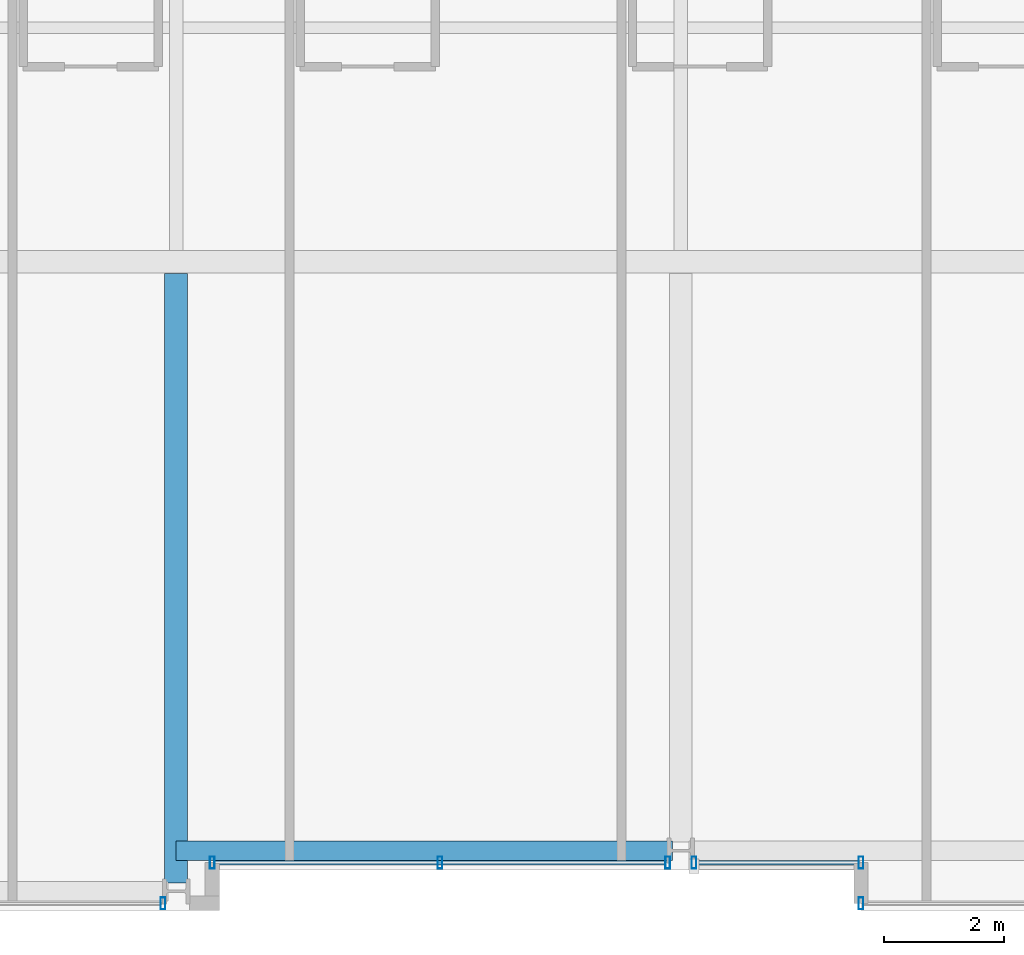
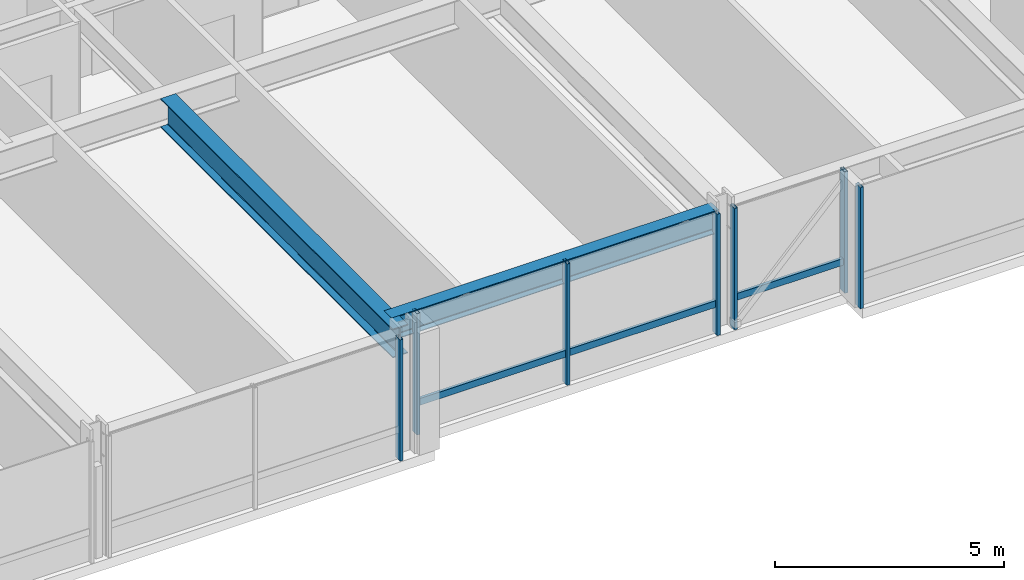
# One storey, part 5 of 35: 9 members, 2 beams, 4 elements without a shape of their own.
"""IFC4 building model written with IfcOpenShell, lengths in metres."""

import ifcopenshell
import ifcopenshell.guid

model = None  # the IFC model being written
_history = None  # IfcOwnerHistory: only IFC2X3 demands one
_inside = {}  # id of a spatial element -> (the spatial element, [elements in it])
_under = {}  # id of a project, library or spatial element -> (it, [spatial elements below it])
_declared = {}  # id of a project -> (the project, [libraries it declares])
_typed = {}  # id of a type object -> (the type object, [elements of that type])
_made_of = {}  # id of a material, layer set ... -> (it, [elements and type objects made of it])


def new_model(schema):
    """Start an empty IFC model of exactly this schema.

    Asked for "IFC4X3", IfcOpenShell would pick the latest addendum, in which some entities
    have other attributes; the version numbers below select the first issue.
    IFC2X3 requires an IfcOwnerHistory on every rooted entity: one is made here for all.
    """
    global model, _history
    if schema == "IFC4X3":
        model = ifcopenshell.file(schema_version=(4, 3, 0, 0))
    else:
        model = ifcopenshell.file(schema=schema)
    _inside.clear()
    _under.clear()
    _declared.clear()
    _typed.clear()
    _made_of.clear()
    _history = None
    if model.schema == "IFC2X3":
        org = make("IfcOrganization", Name="unknown")
        user = make(
            "IfcPersonAndOrganization",
            ThePerson=make("IfcPerson", FamilyName="unknown"),
            TheOrganization=org,
        )
        app = make(
            "IfcApplication",
            ApplicationDeveloper=org,
            Version="unknown",
            ApplicationFullName="unknown",
            ApplicationIdentifier="unknown",
        )
        _history = make(
            "IfcOwnerHistory",
            OwningUser=user,
            OwningApplication=app,
            ChangeAction="ADDED",
            CreationDate=0,
        )
    return model


def make(cls, **values):
    """One entity of the class cls with the attributes given. An attribute that is None is left unset."""
    return model.create_entity(
        cls, **{name: value for name, value in values.items() if value is not None}
    )


def rooted(cls, **values):
    """An entity with a GlobalId (a new one), such as an element, a storey or a relation."""
    return make(cls, GlobalId=ifcopenshell.guid.new(), OwnerHistory=_history, **values)


def si_unit(unit_type, name, prefix=None):
    """IfcSIUnit, for example si_unit("LENGTHUNIT", "METRE", prefix="MILLI")."""
    return make("IfcSIUnit", UnitType=unit_type, Prefix=prefix, Name=name)


def assignment(units):
    """IfcUnitAssignment: the units of a project."""
    return None if units is None else make("IfcUnitAssignment", Units=units)


def point(xyz):
    """IfcCartesianPoint."""
    return None if xyz is None else make("IfcCartesianPoint", Coordinates=xyz)


def direction(xyz):
    """IfcDirection."""
    return None if xyz is None else make("IfcDirection", DirectionRatios=xyz)


def frame(location, z_axis=None, x_axis=None):
    """IfcAxis2Placement3D, a coordinate frame: its origin and axes. An axis left out is left unset."""
    return make(
        "IfcAxis2Placement3D",
        Location=point(location),
        Axis=direction(z_axis),
        RefDirection=direction(x_axis),
    )


def frame_2d(location, x_axis=None):
    """IfcAxis2Placement2D, a coordinate frame in the plane: its origin and x axis."""
    return make(
        "IfcAxis2Placement2D", Location=point(location), RefDirection=direction(x_axis)
    )


def origin():
    """The frame at (0, 0, 0) with its axes left unset."""
    return frame((0.0, 0.0, 0.0))


def origin_2d():
    """The frame at (0, 0) in the plane with its x axis left unset."""
    return frame_2d((0.0, 0.0))


def place(relative_to, where):
    """IfcLocalPlacement: puts the frame where relative to a parent placement (None: the world)."""
    return make(
        "IfcLocalPlacement", PlacementRelTo=relative_to, RelativePlacement=where
    )


def context(
    kind, dimensions, precision=None, world=None, true_north=None, identifier=None
):
    """IfcGeometricRepresentationContext, for example the 3D "Model" context."""
    return make(
        "IfcGeometricRepresentationContext",
        ContextIdentifier=identifier,
        ContextType=kind,
        CoordinateSpaceDimension=dimensions,
        Precision=precision,
        WorldCoordinateSystem=world,
        TrueNorth=true_north,
    )


def subcontext(parent, identifier, kind, view, scale=None):
    """IfcGeometricRepresentationSubContext, for example "Body" below "Model"."""
    return make(
        "IfcGeometricRepresentationSubContext",
        ContextIdentifier=identifier,
        ContextType=kind,
        ParentContext=parent,
        TargetScale=scale,
        TargetView=view,
    )


def project(units=None, contexts=None):
    """IfcProject with its units and contexts."""
    return rooted(
        "IfcProject",
        Name="project",
        RepresentationContexts=contexts,
        UnitsInContext=assignment(units),
    )


def spatial(cls, under=None, at=None, **own):
    """A site, building, storey or space (cls), placed at a placement, below another one or the project."""
    s = rooted(cls, ObjectPlacement=at, **own)
    if under is not None:
        _under.setdefault(under.id(), (under, []))[1].append(s)
    return s


def profile(cls, at=None, kind="AREA", **sizes):
    """A parametric profile (cls). Its sizes go by their IFC names, for example OverallWidth=200.0."""
    return make(cls, ProfileType=kind, Position=at, **sizes)


def hollow_rectangle(**sizes):
    """IfcRectangleHollowProfileDef."""
    return profile("IfcRectangleHollowProfileDef", **sizes)


def i_section(**sizes):
    """IfcIShapeProfileDef."""
    return profile("IfcIShapeProfileDef", **sizes)


def extrude(swept, where, along, depth):
    """IfcExtrudedAreaSolid: the profile swept, set in the frame where, extruded along a direction by depth."""
    return make(
        "IfcExtrudedAreaSolid",
        SweptArea=swept,
        Position=where,
        ExtrudedDirection=direction(along),
        Depth=depth,
    )


def shape(context_of_items, identifier, shape_type, items):
    """IfcShapeRepresentation: the items that make up one representation, for example the "Body"."""
    return make(
        "IfcShapeRepresentation",
        ContextOfItems=context_of_items,
        RepresentationIdentifier=identifier,
        RepresentationType=shape_type,
        Items=items,
    )


def material(Name=None, Category=None):
    """IfcMaterial."""
    return make("IfcMaterial", Name=Name, Category=Category)


def layer(
    of_material, thickness, ventilated=None, Name=None, Category=None, Priority=None
):
    """IfcMaterialLayer: one layer of a wall or slab, of a material (None: an air gap)."""
    return make(
        "IfcMaterialLayer",
        Material=of_material,
        LayerThickness=thickness,
        IsVentilated=ventilated,
        Name=Name,
        Category=Category,
        Priority=Priority,
    )


def layer_set(layers, Name=None):
    """IfcMaterialLayerSet."""
    return make("IfcMaterialLayerSet", MaterialLayers=layers, LayerSetName=Name)


def material_profile(
    of_material, cross_section, Name=None, Category=None, Priority=None
):
    """IfcMaterialProfile: a cross section and its material."""
    return make(
        "IfcMaterialProfile",
        Name=Name,
        Material=of_material,
        Profile=cross_section,
        Priority=Priority,
        Category=Category,
    )


def profile_set(profiles, Name=None, composite=None):
    """IfcMaterialProfileSet."""
    return make(
        "IfcMaterialProfileSet",
        Name=Name,
        MaterialProfiles=profiles,
        CompositeProfile=composite,
    )


def made_of(thing, what):
    """Note that an element or type object is made of a material, layer set ...; save() writes the relation."""
    if what is not None:
        _made_of.setdefault(what.id(), (what, []))[1].append(thing)
    return thing


def type_object(cls, material=None, **own):
    """A type object (cls), such as IfcWallType, which elements share."""
    return made_of(rooted(cls, **own), material)


def element(
    cls,
    number,
    at=None,
    inside=None,
    cuts=None,
    type_object=None,
    material=None,
    context=None,
    identifier="Body",
    shape_type=None,
    held_by="IfcProductDefinitionShape",
    body=None,
    shapes=None,
    **own,
):
    """One element of the class cls, such as IfcWall. Its Tag is "e" and its number.

    at: its placement. inside: the storey or other place that contains it. cuts: it is an
    opening in that element (IfcRelVoidsElement). A single representation is given by context,
    identifier, shape_type and body (its items); several are given by shapes. held_by: the class
    of the entity that holds the representations. save() writes the other relations.
    """
    e = rooted(cls, Tag="e%d" % number, ObjectPlacement=at, **own)
    if body is not None:
        shapes = [shape(context, identifier, shape_type, body)]
    if shapes is not None:
        e.Representation = make(held_by, Representations=shapes)
    if inside is not None:
        _inside.setdefault(inside.id(), (inside, []))[1].append(e)
    if cuts is not None:
        rooted(
            "IfcRelVoidsElement", RelatingBuildingElement=cuts, RelatedOpeningElement=e
        )
    if type_object is not None:
        _typed.setdefault(type_object.id(), (type_object, []))[1].append(e)
    return made_of(e, material)


def aggregate(whole, parts):
    """IfcRelAggregates: a whole, such as a stair, and the parts it consists of."""
    return rooted("IfcRelAggregates", RelatingObject=whole, RelatedObjects=parts)


def save(model, path):
    """Write the relations noted so far, then the file.

    IfcRelAggregates (storeys below a building ...), IfcRelContainedInSpatialStructure (elements
    in a storey), IfcRelDefinesByType, IfcRelAssociatesMaterial and IfcRelDeclares: one each for
    every whole, place, type object, material and project.
    """
    for whole, parts in _under.values():
        aggregate(whole, parts)
    for where, things in _inside.values():
        rooted(
            "IfcRelContainedInSpatialStructure",
            RelatedElements=things,
            RelatingStructure=where,
        )
    for kind, things in _typed.values():
        rooted("IfcRelDefinesByType", RelatedObjects=things, RelatingType=kind)
    for what, things in _made_of.values():
        rooted("IfcRelAssociatesMaterial", RelatedObjects=things, RelatingMaterial=what)
    for by, libraries in _declared.values():
        rooted("IfcRelDeclares", RelatingContext=by, RelatedDefinitions=libraries)
    model.write(path)


model = new_model("IFC4")

# Units and contexts
model_context = context("Model", 3, precision=1e-05, world=origin(), true_north=direction((0.0, 1.0)))
body_context = subcontext(model_context, "Body", "Model", "MODEL_VIEW")
ifc_project = project(units=[si_unit("LENGTHUNIT", "METRE"), si_unit("AREAUNIT", "SQUARE_METRE"), si_unit("VOLUMEUNIT", "CUBIC_METRE"), si_unit("PLANEANGLEUNIT", "RADIAN"), si_unit("MASSUNIT", "GRAM", prefix="KILO")], contexts=[model_context])

# Site, building, storey
site_placement = place(None, origin())
site = spatial("IfcSite", under=ifc_project, at=site_placement, CompositionType="ELEMENT")
building_placement = place(site_placement, origin())
building = spatial("IfcBuilding", under=site, at=building_placement, Name="Drelvath Grand Hotel", CompositionType="ELEMENT")
storey_placement = place(building_placement, frame((0.0, 0.0, 95.300048828125)))
storey = spatial("IfcBuildingStorey", under=building, at=storey_placement, Name="L23", CompositionType="ELEMENT", Elevation=95.300048828125)

# Curtain wall, member
ifc_material_1 = material(Name="Champagne Bronze Anodised Aluminium Frame", Category="aluminium")
ifc_layer = layer(ifc_material_1, 0.199951171875)
ifc_layer_set = layer_set([ifc_layer], Name="Champagne Bronze Anodised Aluminium Frame")
curtain_wall_type = type_object("IfcCurtainWallType", Name="Stick Curtain Wall CW-03 Champagne Bronze Mid-Rise", PredefinedType="NOTDEFINED", material=ifc_layer_set)
curtain_wall_1_placement = place(storey_placement, origin())
curtain_wall_1 = element("IfcCurtainWall", 1, at=curtain_wall_1_placement, inside=storey, type_object=curtain_wall_type, Name="L23 CW-03 Curtain Wall CW03-L23-SM1", PredefinedType="NOTDEFINED")
ifc_material_profile_1 = material_profile(ifc_material_1, hollow_rectangle(XDim=0.074951171875, YDim=0.179931640625, WallThickness=0.0048828125, at=origin_2d()), Name="HSS180X75X5")
ifc_profile_set_1 = profile_set([ifc_material_profile_1], Name="Champagne Bronze Anodised Aluminium Frame")
member_type_1 = type_object("IfcMemberType", Name="Curtain Wall Horizontal Transom CW-03 HSS180X75X5", PredefinedType="USERDEFINED", material=ifc_profile_set_1)
member_1_placement = place(storey_placement, frame((-0.259521484375, 0.800048828125, 0.81005859375), z_axis=(-1.0, 0.0, 0.0), x_axis=(0.0, -1.0, 0.0)))
member_1 = element("IfcMember", 2, at=member_1_placement, type_object=member_type_1, Name="CW03-L23-SM1 Sill Transom", ObjectType="TRANSOM", PredefinedType="USERDEFINED", context=body_context, shape_type="SweptSolid", body=[
    extrude(hollow_rectangle(XDim=0.074951171875, YDim=0.179931640625, WallThickness=0.0048828125, at=origin_2d()), origin(), (0.0, 0.0, 1.0), 7.50048828125),
])

curtain_wall_2_placement = place(storey_placement, origin())
curtain_wall_2 = element("IfcCurtainWall", 3, at=curtain_wall_2_placement, inside=storey, type_object=curtain_wall_type, Name="L23 CW-03 Curtain Wall CW03-L23-SM2", PredefinedType="NOTDEFINED")
member_2_placement = place(storey_placement, frame((2.9599609375, 0.800048828125, 0.81005859375), z_axis=(-1.0, 0.0, 0.0), x_axis=(0.0, -1.0, 0.0)))
member_2 = element("IfcMember", 4, at=member_2_placement, type_object=member_type_1, Name="CW03-L23-SM2 Sill Transom", ObjectType="TRANSOM", PredefinedType="USERDEFINED", context=body_context, shape_type="SweptSolid", body=[
    extrude(hollow_rectangle(XDim=0.074951171875, YDim=0.179931640625, WallThickness=0.0048828125, at=origin_2d()), origin(), (0.0, 0.0, 1.0), 2.700439453125),
])

curtain_wall_3_placement = place(storey_placement, origin())
curtain_wall_3 = element("IfcCurtainWall", 5, at=curtain_wall_3_placement, inside=storey, type_object=curtain_wall_type, Name="L23 CW-03 Curtain Wall CW03-L23-SE1", PredefinedType="NOTDEFINED")
ifc_material_profile_2 = material_profile(ifc_material_1, hollow_rectangle(XDim=0.080078125, YDim=0.199951171875, WallThickness=0.0048828125, at=origin_2d()), Name="HSS200X80X5")
ifc_profile_set_2 = profile_set([ifc_material_profile_2], Name="Champagne Bronze Anodised Aluminium Frame")
member_type_2 = type_object("IfcMemberType", Name="Curtain Wall Vertical Mullion CW-03 HSS200X80X5", PredefinedType="MULLION", material=ifc_profile_set_2)
member_3_placement = place(storey_placement, frame((3.0, 0.1201171875, 0.0), z_axis=(0.0, 0.0, 1.0), x_axis=(1.0, 0.0, 0.0)))
member_3 = element("IfcMember", 6, at=member_3_placement, type_object=member_type_2, Name="CW03-L23-SE1 Mullion 2", PredefinedType="MULLION", context=body_context, shape_type="SweptSolid", body=[
    extrude(hollow_rectangle(XDim=0.080078125, YDim=0.199951171875, WallThickness=0.0048828125, at=origin_2d()), origin(), (0.0, 0.0, 1.0), 3.239990234375),
])
aggregate(curtain_wall_3, [member_3])

# Member
member_4_placement = place(storey_placement, frame((-0.219482421875, 0.800048828125, 0.0), z_axis=(0.0, 0.0, 1.0), x_axis=(1.0, 0.0, 0.0)))
member_4 = element("IfcMember", 7, at=member_4_placement, type_object=member_type_2, Name="CW03-L23-SM1 Mullion 1", PredefinedType="MULLION", context=body_context, shape_type="SweptSolid", body=[
    extrude(hollow_rectangle(XDim=0.080078125, YDim=0.199951171875, WallThickness=0.0048828125, at=origin_2d()), origin(), (0.0, 0.0, 1.0), 3.239990234375),
])

member_5_placement = place(storey_placement, frame((-4.009765625, 0.800048828125, 0.0), z_axis=(0.0, 0.0, 1.0), x_axis=(1.0, 0.0, 0.0)))
member_5 = element("IfcMember", 8, at=member_5_placement, type_object=member_type_2, Name="CW03-L23-SM1 Mullion 2", PredefinedType="MULLION", context=body_context, shape_type="SweptSolid", body=[
    extrude(hollow_rectangle(XDim=0.080078125, YDim=0.199951171875, WallThickness=0.0048828125, at=origin_2d()), origin(), (0.0, 0.0, 1.0), 3.239990234375),
])

member_6_placement = place(storey_placement, frame((-7.800048828125, 0.800048828125, 0.0), z_axis=(0.0, 0.0, 1.0), x_axis=(1.0, 0.0, 0.0)))
member_6 = element("IfcMember", 9, at=member_6_placement, type_object=member_type_2, Name="CW03-L23-SM1 Mullion 3", PredefinedType="MULLION", context=body_context, shape_type="SweptSolid", body=[
    extrude(hollow_rectangle(XDim=0.080078125, YDim=0.199951171875, WallThickness=0.0048828125, at=origin_2d()), origin(), (0.0, 0.0, 1.0), 3.239990234375),
])

aggregate(curtain_wall_1, [member_4, member_5, member_6, member_1])

member_7_placement = place(storey_placement, frame((3.0, 0.800048828125, 0.0), z_axis=(0.0, 0.0, 1.0), x_axis=(1.0, 0.0, 0.0)))
member_7 = element("IfcMember", 10, at=member_7_placement, type_object=member_type_2, Name="CW03-L23-SM2 Mullion 1", PredefinedType="MULLION", context=body_context, shape_type="SweptSolid", body=[
    extrude(hollow_rectangle(XDim=0.080078125, YDim=0.199951171875, WallThickness=0.0048828125, at=origin_2d()), origin(), (0.0, 0.0, 1.0), 3.239990234375),
])

member_8_placement = place(storey_placement, frame((0.219482421875, 0.800048828125, 0.0), z_axis=(0.0, 0.0, 1.0), x_axis=(1.0, 0.0, 0.0)))
member_8 = element("IfcMember", 11, at=member_8_placement, type_object=member_type_2, Name="CW03-L23-SM2 Mullion 2", PredefinedType="MULLION", context=body_context, shape_type="SweptSolid", body=[
    extrude(hollow_rectangle(XDim=0.080078125, YDim=0.199951171875, WallThickness=0.0048828125, at=origin_2d()), origin(), (0.0, 0.0, 1.0), 3.239990234375),
])

aggregate(curtain_wall_2, [member_7, member_8, member_2])

# Curtain wall, member
curtain_wall_4_placement = place(storey_placement, origin())
curtain_wall_4 = element("IfcCurtainWall", 12, at=curtain_wall_4_placement, inside=storey, type_object=curtain_wall_type, Name="L23 CW-03 Curtain Wall CW03-L23-SW2", PredefinedType="NOTDEFINED")
member_9_placement = place(storey_placement, frame((-8.61962890625, 0.1201171875, 0.0), z_axis=(0.0, 0.0, 1.0), x_axis=(1.0, 0.0, 0.0)))
member_9 = element("IfcMember", 13, at=member_9_placement, type_object=member_type_2, Name="CW03-L23-SW2 Mullion 1", PredefinedType="MULLION", context=body_context, shape_type="SweptSolid", body=[
    extrude(hollow_rectangle(XDim=0.080078125, YDim=0.199951171875, WallThickness=0.0048828125, at=origin_2d()), origin(), (0.0, 0.0, 1.0), 3.239990234375),
])
aggregate(curtain_wall_4, [member_9])

# Beams
ifc_material_2 = material(Name="Steel ASTM A992 Gr 50", Category="steel")
ifc_material_profile_3 = material_profile(ifc_material_2, i_section(OverallWidth=0.323974609375, OverallDepth=0.611083984375, WebThickness=0.0126953125, FlangeThickness=0.01904296875, FilletRadius=0.02197265625, at=origin_2d()), Name="W24X104")
ifc_profile_set_3 = profile_set([ifc_material_profile_3], Name="Steel ASTM A992 Gr 50")
beam_type_1 = type_object("IfcBeamType", Name="Perimeter Spandrel Beam W24X104", PredefinedType="SPANDREL", material=ifc_profile_set_3)
beam_1_placement = place(storey_placement, frame((-8.39990234375, 1.0, 2.9345703125), z_axis=(1.0, 0.0, 0.0), x_axis=(0.0, 1.0, 0.0)))
element("IfcBeam", 14, at=beam_1_placement, inside=storey, type_object=beam_type_1, Name="L23 Spandrel South Mid W", PredefinedType="SPANDREL", context=body_context, shape_type="SweptSolid", body=[
    extrude(i_section(OverallWidth=0.323974609375, OverallDepth=0.611083984375, WebThickness=0.0126953125, FlangeThickness=0.01904296875, FilletRadius=0.02197265625, at=origin_2d()), origin(), (0.0, 0.0, 1.0), 8.260009765625),
])
ifc_material_profile_4 = material_profile(ifc_material_2, i_section(OverallWidth=0.380615234375, OverallDepth=0.773193359375, WebThickness=0.0166015625, FlangeThickness=0.027099609375, FilletRadius=0.02490234375, at=origin_2d()), Name="W30X173")
ifc_profile_set_4 = profile_set([ifc_material_profile_4], Name="Steel ASTM A992 Gr 50")
beam_type_2 = type_object("IfcBeamType", Name="Primary Floor Girder W30X173", PredefinedType="BEAM", material=ifc_profile_set_4)
beam_2_placement = place(storey_placement, frame((-8.39990234375, 0.4599609375, 2.853271484375), z_axis=(0.0, 1.0, 0.0), x_axis=(-1.0, 0.0, 0.0)))
element("IfcBeam", 15, at=beam_2_placement, inside=storey, type_object=beam_type_2, Name="L23 South Wing Girder 4", PredefinedType="BEAM", context=body_context, shape_type="SweptSolid", body=[
    extrude(i_section(OverallWidth=0.380615234375, OverallDepth=0.773193359375, WebThickness=0.0166015625, FlangeThickness=0.027099609375, FilletRadius=0.02490234375, at=origin_2d()), origin(), (0.0, 0.0, 1.0), 10.149658203125),
])

save(model, "model.ifc")
